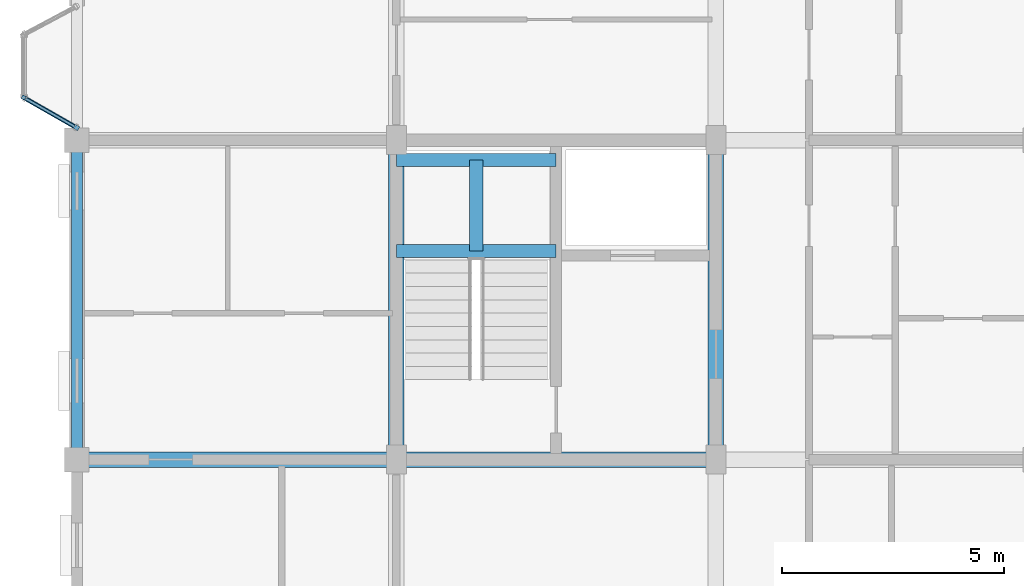
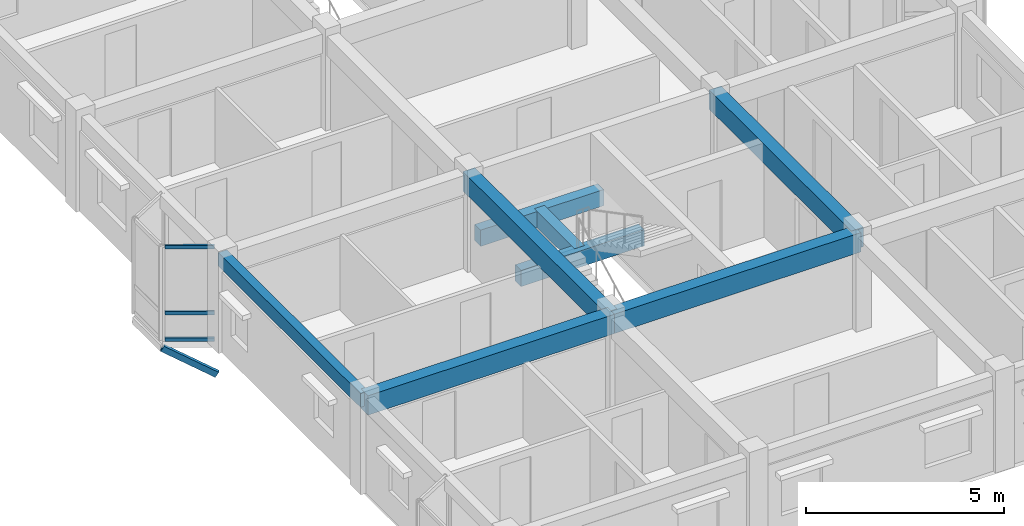
# One storey, part 16 of 75: 8 beams, 4 members, 1 element without a shape of its own.
"""IFC4 building model written with IfcOpenShell, lengths in metres."""

from ifc_helpers import new_model, si_unit, direction, frame, origin, origin_2d, place, context, subcontext, project, spatial, rectangle, hollow_rectangle, extrude, material, layer, layer_set, material_profile, profile_set, type_object, element, aggregate, save


model = new_model("IFC4")

# Units and contexts
model_context = context("Model", 3, precision=1e-05, world=origin(), true_north=direction((0.0, 1.0)))
body_context = subcontext(model_context, "Body", "Model", "MODEL_VIEW")
ifc_project = project(units=[si_unit("LENGTHUNIT", "METRE"), si_unit("AREAUNIT", "SQUARE_METRE"), si_unit("VOLUMEUNIT", "CUBIC_METRE"), si_unit("PLANEANGLEUNIT", "RADIAN"), si_unit("MASSUNIT", "GRAM", prefix="KILO"), si_unit("THERMODYNAMICTEMPERATUREUNIT", "KELVIN"), si_unit("POWERUNIT", "WATT")], contexts=[model_context])

# Site, building, storey
site_placement = place(None, origin())
site = spatial("IfcSite", under=ifc_project, at=site_placement, CompositionType="ELEMENT")
building_placement = place(site_placement, origin())
building = spatial("IfcBuilding", under=site, at=building_placement, Name="Tavuni Mirador Residences", CompositionType="ELEMENT")
storey_placement = place(building_placement, frame((0.0, 0.0, 20.25)))
storey = spatial("IfcBuildingStorey", under=building, at=storey_placement, Name="L06", CompositionType="ELEMENT", Elevation=20.25)

# Beams
ifc_material_1 = material(Name="Precast concrete C40/50", Category="concrete")
ifc_material_profile_1 = material_profile(ifc_material_1, rectangle(XDim=0.300048828125, YDim=0.5, at=origin_2d()), Name="PC 300x500", Category="concrete")
ifc_profile_set_1 = profile_set([ifc_material_profile_1], Name="Precast concrete C40/50")
beam_type_1 = type_object("IfcBeamType", Name="BT-B500", PredefinedType="BEAM", material=ifc_profile_set_1)
for number, where, z_axis, x_axis, name in (
    (1, (10.800048828125, 76.699951171875, 1.14501953125), (1.0, 0.0, 0.0), (0.0, 1.0, 0.0), "HLB1-C3-L06"),
    (2, (10.800048828125, 78.75, 1.14501953125), (1.0, 0.0, 0.0), (0.0, 1.0, 0.0), "HLB2-C3-L06"),
):
    element("IfcBeam", number, at=place(storey_placement, frame(where, z_axis=z_axis, x_axis=x_axis)), inside=storey, type_object=beam_type_1, Name=name, PredefinedType="BEAM", context=body_context, shape_type="SweptSolid", body=[
        extrude(rectangle(XDim=0.300048828125, YDim=0.5, at=origin_2d()), origin(), (0.0, 0.0, 1.0), 3.599853515625),
    ])
beam_1_placement = place(storey_placement, frame((12.60009765625, 76.699951171875, 1.14501953125), z_axis=(0.0, 1.0, 0.0), x_axis=(-1.0, 0.0, 0.0)))
element("IfcBeam", 3, at=beam_1_placement, inside=storey, type_object=beam_type_1, Name="HLB3-C3-L06", PredefinedType="BEAM", context=body_context, shape_type="SweptSolid", body=[
    extrude(rectangle(XDim=0.300048828125, YDim=0.5, at=origin_2d()), origin(), (0.0, 0.0, 1.0), 2.050048828125),
])
ifc_material_profile_2 = material_profile(ifc_material_1, rectangle(XDim=0.35009765625, YDim=0.60009765625, at=origin_2d()), Name="PC 350x600", Category="concrete")
ifc_profile_set_2 = profile_set([ifc_material_profile_2], Name="Precast concrete C40/50")
beam_type_2 = type_object("IfcBeamType", Name="BT-B600", PredefinedType="BEAM", material=ifc_profile_set_2)
for number, where, z_axis, x_axis, name in (
    (4, (3.60009765625, 72.0, 2.610107421875), (1.0, 0.0, 0.0), (0.0, 1.0, 0.0), "BMX-BLK-B-L06-00-01"),
    (5, (10.800048828125, 72.0, 2.610107421875), (1.0, 0.0, 0.0), (0.0, 1.0, 0.0), "BMX-BLK-B-L06-01-01"),
    (6, (10.800048828125, 72.0, 2.610107421875), (0.0, 1.0, 0.0), (-1.0, 0.0, 0.0), "BMY-BLK-B-L06-01-01"),
    (7, (18.0, 72.0, 2.610107421875), (0.0, 1.0, 0.0), (-1.0, 0.0, 0.0), "BMY-BLK-B-L06-02-01"),
):
    element("IfcBeam", number, at=place(storey_placement, frame(where, z_axis=z_axis, x_axis=x_axis)), inside=storey, type_object=beam_type_2, Name=name, PredefinedType="BEAM", context=body_context, shape_type="SweptSolid", body=[
        extrude(rectangle(XDim=0.35009765625, YDim=0.60009765625, at=origin_2d()), origin(), (0.0, 0.0, 1.0), 7.199951171875),
    ])
ifc_material_profile_3 = material_profile(ifc_material_1, rectangle(XDim=0.25, YDim=0.419921875, at=origin_2d()), Name="PC 250x420", Category="concrete")
ifc_profile_set_3 = profile_set([ifc_material_profile_3], Name="Precast concrete C40/50")
beam_type_3 = type_object("IfcBeamType", Name="BT-SP420", PredefinedType="SPANDREL", material=ifc_profile_set_3)
beam_2_placement = place(storey_placement, frame((3.60009765625, 72.0, 2.699951171875), z_axis=(0.0, 1.0, 0.0), x_axis=(-1.0, 0.0, 0.0)))
element("IfcBeam", 8, at=beam_2_placement, inside=storey, type_object=beam_type_3, Name="BMY-BLK-B-L06-00-01", PredefinedType="SPANDREL", context=body_context, shape_type="SweptSolid", body=[
    extrude(rectangle(XDim=0.25, YDim=0.419921875, at=origin_2d()), origin(), (0.0, 0.0, 1.0), 7.199951171875),
])

# Curtain wall, members
ifc_material_2 = material(Name="Anodised aluminium", Category="aluminium")
ifc_layer = layer(ifc_material_2, 0.1650390625, Name="Anodised aluminium", Category="aluminium")
ifc_layer_set = layer_set([ifc_layer], Name="Anodised aluminium")
curtain_wall_type = type_object("IfcCurtainWallType", Name="CWT-MIR-A", PredefinedType="NOTDEFINED", material=ifc_layer_set)
curtain_wall_placement = place(storey_placement, origin())
curtain_wall = element("IfcCurtainWall", 9, at=curtain_wall_placement, inside=storey, type_object=curtain_wall_type, Name="CW-MIR-B-W2-L06-M2", PredefinedType="NOTDEFINED")
ifc_material_profile_4 = material_profile(ifc_material_2, hollow_rectangle(XDim=0.06005859375, YDim=0.110107421875, WallThickness=0.00390625, at=origin_2d()), Name="ALU 60x110x4.0", Category="aluminium")
ifc_profile_set_4 = profile_set([ifc_material_profile_4], Name="Anodised aluminium")
member_type_1 = type_object("IfcMemberType", Name="CWT-110", PredefinedType="USERDEFINED", material=ifc_profile_set_4)
member_1_placement = place(storey_placement, frame((2.4521484375, 80.13037109375, 0.030029296875), z_axis=(0.868374088354, -0.495909712222, 0.0), x_axis=(0.495909712222, 0.868374088354, 0.0)))
member_1 = element("IfcMember", 10, at=member_1_placement, type_object=member_type_1, Name="CW-01 transom 1.1", ObjectType="TRANSOM", PredefinedType="USERDEFINED", context=body_context, shape_type="SweptSolid", body=[
    extrude(hollow_rectangle(XDim=0.06005859375, YDim=0.110107421875, WallThickness=0.00390625, at=origin_2d()), origin(), (0.0, 0.0, 1.0), 1.26171875),
])
member_2_placement = place(storey_placement, frame((2.4521484375, 80.13037109375, 0.85009765625), z_axis=(0.868374088354, -0.495909712222, 0.0), x_axis=(0.495909712222, 0.868374088354, 0.0)))
member_2 = element("IfcMember", 11, at=member_2_placement, type_object=member_type_1, Name="CW-01 transom 1.2", ObjectType="TRANSOM", PredefinedType="USERDEFINED", context=body_context, shape_type="SweptSolid", body=[
    extrude(hollow_rectangle(XDim=0.06005859375, YDim=0.110107421875, WallThickness=0.00390625, at=origin_2d()), origin(), (0.0, 0.0, 1.0), 1.26171875),
])
member_3_placement = place(storey_placement, frame((2.4521484375, 80.13037109375, 2.8798828125), z_axis=(0.868374088354, -0.495909712222, 0.0), x_axis=(0.495909712222, 0.868374088354, 0.0)))
member_3 = element("IfcMember", 12, at=member_3_placement, type_object=member_type_1, Name="CW-01 transom 1.3", ObjectType="TRANSOM", PredefinedType="USERDEFINED", context=body_context, shape_type="SweptSolid", body=[
    extrude(hollow_rectangle(XDim=0.06005859375, YDim=0.110107421875, WallThickness=0.00390625, at=origin_2d()), origin(), (0.0, 0.0, 1.0), 1.26171875),
])
aggregate(curtain_wall, [member_1, member_2, member_3])

# Member
ifc_material_3 = material(Name="Structural steel S355", Category="steel")
ifc_material_profile_5 = material_profile(ifc_material_3, hollow_rectangle(XDim=0.10009765625, YDim=0.179931640625, WallThickness=0.008056640625, at=origin_2d()), Name="RHS 180x100x8.0", Category="steel")
ifc_profile_set_5 = profile_set([ifc_material_profile_5], Name="Structural steel S355")
member_type_2 = type_object("IfcMemberType", Name="MT-BR-RHS180", PredefinedType="BRACE", material=ifc_profile_set_5)
member_4_placement = place(storey_placement, frame((3.60009765625, 79.47509765625, -1.050048828125), z_axis=(-0.749297922844, 0.427538786326, 0.505730371847), x_axis=(-0.495587053321, -0.868558272415, 0.0)))
element("IfcMember", 13, at=member_4_placement, inside=storey, type_object=member_type_2, Name="MBRK-MIR-B-W2-L06-1", PredefinedType="BRACE", context=body_context, shape_type="SweptSolid", body=[
    extrude(hollow_rectangle(XDim=0.10009765625, YDim=0.179931640625, WallThickness=0.008056640625, at=origin_2d()), origin(), (0.0, 0.0, 1.0), 1.601806640625),
])

save(model, "model.ifc")
